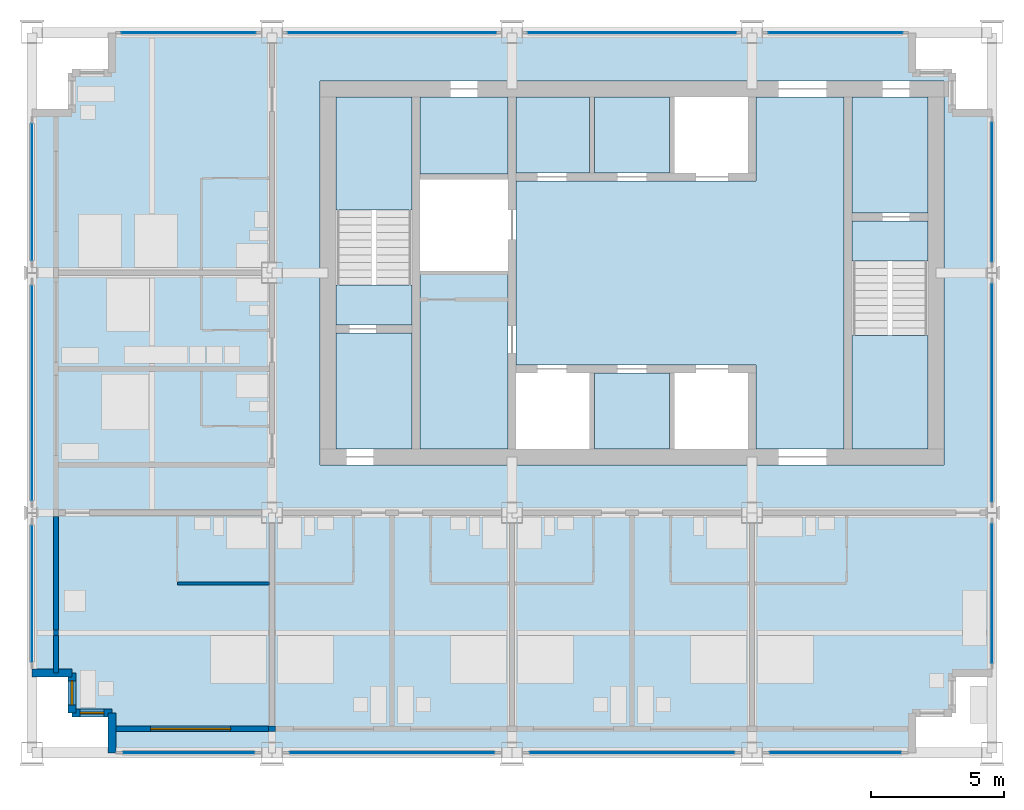
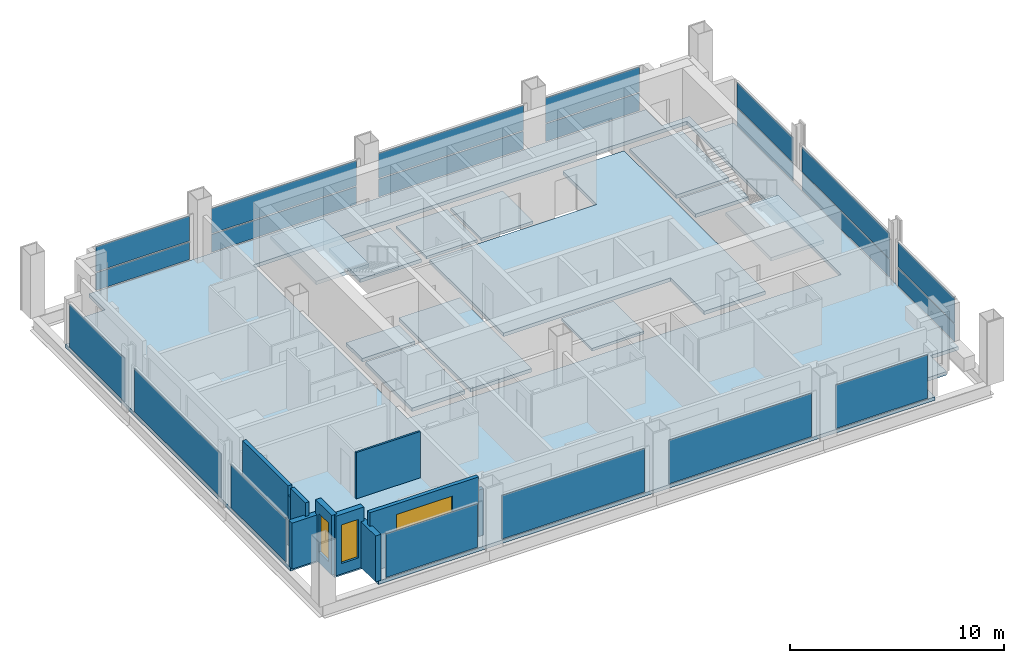
# One storey, part 5 of 12: 21 plates, 13 slabs, 10 walls, 3 windows, 3 openings, 16 elements without a shape of their own.
"""IFC4 building model written with IfcOpenShell, lengths in metres."""

import ifcopenshell
import ifcopenshell.guid

model = None  # the IFC model being written
_history = None  # IfcOwnerHistory: only IFC2X3 demands one
_inside = {}  # id of a spatial element -> (the spatial element, [elements in it])
_under = {}  # id of a project, library or spatial element -> (it, [spatial elements below it])
_declared = {}  # id of a project -> (the project, [libraries it declares])
_typed = {}  # id of a type object -> (the type object, [elements of that type])
_made_of = {}  # id of a material, layer set ... -> (it, [elements and type objects made of it])


def new_model(schema):
    """Start an empty IFC model of exactly this schema.

    Asked for "IFC4X3", IfcOpenShell would pick the latest addendum, in which some entities
    have other attributes; the version numbers below select the first issue.
    IFC2X3 requires an IfcOwnerHistory on every rooted entity: one is made here for all.
    """
    global model, _history
    if schema == "IFC4X3":
        model = ifcopenshell.file(schema_version=(4, 3, 0, 0))
    else:
        model = ifcopenshell.file(schema=schema)
    _inside.clear()
    _under.clear()
    _declared.clear()
    _typed.clear()
    _made_of.clear()
    _history = None
    if model.schema == "IFC2X3":
        org = make("IfcOrganization", Name="unknown")
        user = make(
            "IfcPersonAndOrganization",
            ThePerson=make("IfcPerson", FamilyName="unknown"),
            TheOrganization=org,
        )
        app = make(
            "IfcApplication",
            ApplicationDeveloper=org,
            Version="unknown",
            ApplicationFullName="unknown",
            ApplicationIdentifier="unknown",
        )
        _history = make(
            "IfcOwnerHistory",
            OwningUser=user,
            OwningApplication=app,
            ChangeAction="ADDED",
            CreationDate=0,
        )
    return model


def make(cls, **values):
    """One entity of the class cls with the attributes given. An attribute that is None is left unset."""
    return model.create_entity(
        cls, **{name: value for name, value in values.items() if value is not None}
    )


def rooted(cls, **values):
    """An entity with a GlobalId (a new one), such as an element, a storey or a relation."""
    return make(cls, GlobalId=ifcopenshell.guid.new(), OwnerHistory=_history, **values)


def si_unit(unit_type, name, prefix=None):
    """IfcSIUnit, for example si_unit("LENGTHUNIT", "METRE", prefix="MILLI")."""
    return make("IfcSIUnit", UnitType=unit_type, Prefix=prefix, Name=name)


def assignment(units):
    """IfcUnitAssignment: the units of a project."""
    return None if units is None else make("IfcUnitAssignment", Units=units)


def point(xyz):
    """IfcCartesianPoint."""
    return None if xyz is None else make("IfcCartesianPoint", Coordinates=xyz)


def direction(xyz):
    """IfcDirection."""
    return None if xyz is None else make("IfcDirection", DirectionRatios=xyz)


def frame(location, z_axis=None, x_axis=None):
    """IfcAxis2Placement3D, a coordinate frame: its origin and axes. An axis left out is left unset."""
    return make(
        "IfcAxis2Placement3D",
        Location=point(location),
        Axis=direction(z_axis),
        RefDirection=direction(x_axis),
    )


def frame_2d(location, x_axis=None):
    """IfcAxis2Placement2D, a coordinate frame in the plane: its origin and x axis."""
    return make(
        "IfcAxis2Placement2D", Location=point(location), RefDirection=direction(x_axis)
    )


def origin():
    """The frame at (0, 0, 0) with its axes left unset."""
    return frame((0.0, 0.0, 0.0))


def origin_2d():
    """The frame at (0, 0) in the plane with its x axis left unset."""
    return frame_2d((0.0, 0.0))


def place(relative_to, where):
    """IfcLocalPlacement: puts the frame where relative to a parent placement (None: the world)."""
    return make(
        "IfcLocalPlacement", PlacementRelTo=relative_to, RelativePlacement=where
    )


def context(
    kind, dimensions, precision=None, world=None, true_north=None, identifier=None
):
    """IfcGeometricRepresentationContext, for example the 3D "Model" context."""
    return make(
        "IfcGeometricRepresentationContext",
        ContextIdentifier=identifier,
        ContextType=kind,
        CoordinateSpaceDimension=dimensions,
        Precision=precision,
        WorldCoordinateSystem=world,
        TrueNorth=true_north,
    )


def subcontext(parent, identifier, kind, view, scale=None):
    """IfcGeometricRepresentationSubContext, for example "Body" below "Model"."""
    return make(
        "IfcGeometricRepresentationSubContext",
        ContextIdentifier=identifier,
        ContextType=kind,
        ParentContext=parent,
        TargetScale=scale,
        TargetView=view,
    )


def project(units=None, contexts=None):
    """IfcProject with its units and contexts."""
    return rooted(
        "IfcProject",
        Name="project",
        RepresentationContexts=contexts,
        UnitsInContext=assignment(units),
    )


def spatial(cls, under=None, at=None, **own):
    """A site, building, storey or space (cls), placed at a placement, below another one or the project."""
    s = rooted(cls, ObjectPlacement=at, **own)
    if under is not None:
        _under.setdefault(under.id(), (under, []))[1].append(s)
    return s


def polyline(points):
    """IfcPolyline through the points."""
    return make("IfcPolyline", Points=[point(p) for p in points])


def profile(cls, at=None, kind="AREA", **sizes):
    """A parametric profile (cls). Its sizes go by their IFC names, for example OverallWidth=200.0."""
    return make(cls, ProfileType=kind, Position=at, **sizes)


def rectangle(**sizes):
    """IfcRectangleProfileDef."""
    return profile("IfcRectangleProfileDef", **sizes)


def outline(outer, holes=None, kind="AREA"):
    """IfcArbitraryClosedProfileDef: a profile drawn as a closed curve; with holes, ...WithVoids."""
    if holes is None:
        return make("IfcArbitraryClosedProfileDef", ProfileType=kind, OuterCurve=outer)
    return make(
        "IfcArbitraryProfileDefWithVoids",
        ProfileType=kind,
        OuterCurve=outer,
        InnerCurves=holes,
    )


def extrude(swept, where, along, depth):
    """IfcExtrudedAreaSolid: the profile swept, set in the frame where, extruded along a direction by depth."""
    return make(
        "IfcExtrudedAreaSolid",
        SweptArea=swept,
        Position=where,
        ExtrudedDirection=direction(along),
        Depth=depth,
    )


def shape(context_of_items, identifier, shape_type, items):
    """IfcShapeRepresentation: the items that make up one representation, for example the "Body"."""
    return make(
        "IfcShapeRepresentation",
        ContextOfItems=context_of_items,
        RepresentationIdentifier=identifier,
        RepresentationType=shape_type,
        Items=items,
    )


def material(Name=None, Category=None):
    """IfcMaterial."""
    return make("IfcMaterial", Name=Name, Category=Category)


def layer(
    of_material, thickness, ventilated=None, Name=None, Category=None, Priority=None
):
    """IfcMaterialLayer: one layer of a wall or slab, of a material (None: an air gap)."""
    return make(
        "IfcMaterialLayer",
        Material=of_material,
        LayerThickness=thickness,
        IsVentilated=ventilated,
        Name=Name,
        Category=Category,
        Priority=Priority,
    )


def layer_set(layers, Name=None):
    """IfcMaterialLayerSet."""
    return make("IfcMaterialLayerSet", MaterialLayers=layers, LayerSetName=Name)


def made_of(thing, what):
    """Note that an element or type object is made of a material, layer set ...; save() writes the relation."""
    if what is not None:
        _made_of.setdefault(what.id(), (what, []))[1].append(thing)
    return thing


def type_object(cls, material=None, **own):
    """A type object (cls), such as IfcWallType, which elements share."""
    return made_of(rooted(cls, **own), material)


def element(
    cls,
    number,
    at=None,
    inside=None,
    cuts=None,
    type_object=None,
    material=None,
    context=None,
    identifier="Body",
    shape_type=None,
    held_by="IfcProductDefinitionShape",
    body=None,
    shapes=None,
    **own,
):
    """One element of the class cls, such as IfcWall. Its Tag is "e" and its number.

    at: its placement. inside: the storey or other place that contains it. cuts: it is an
    opening in that element (IfcRelVoidsElement). A single representation is given by context,
    identifier, shape_type and body (its items); several are given by shapes. held_by: the class
    of the entity that holds the representations. save() writes the other relations.
    """
    e = rooted(cls, Tag="e%d" % number, ObjectPlacement=at, **own)
    if body is not None:
        shapes = [shape(context, identifier, shape_type, body)]
    if shapes is not None:
        e.Representation = make(held_by, Representations=shapes)
    if inside is not None:
        _inside.setdefault(inside.id(), (inside, []))[1].append(e)
    if cuts is not None:
        rooted(
            "IfcRelVoidsElement", RelatingBuildingElement=cuts, RelatedOpeningElement=e
        )
    if type_object is not None:
        _typed.setdefault(type_object.id(), (type_object, []))[1].append(e)
    return made_of(e, material)


def fill(opening, filler):
    """IfcRelFillsElement: the door or window that sits in an opening."""
    return rooted(
        "IfcRelFillsElement",
        RelatingOpeningElement=opening,
        RelatedBuildingElement=filler,
    )


def aggregate(whole, parts):
    """IfcRelAggregates: a whole, such as a stair, and the parts it consists of."""
    return rooted("IfcRelAggregates", RelatingObject=whole, RelatedObjects=parts)


def save(model, path):
    """Write the relations noted so far, then the file.

    IfcRelAggregates (storeys below a building ...), IfcRelContainedInSpatialStructure (elements
    in a storey), IfcRelDefinesByType, IfcRelAssociatesMaterial and IfcRelDeclares: one each for
    every whole, place, type object, material and project.
    """
    for whole, parts in _under.values():
        aggregate(whole, parts)
    for where, things in _inside.values():
        rooted(
            "IfcRelContainedInSpatialStructure",
            RelatedElements=things,
            RelatingStructure=where,
        )
    for kind, things in _typed.values():
        rooted("IfcRelDefinesByType", RelatedObjects=things, RelatingType=kind)
    for what, things in _made_of.values():
        rooted("IfcRelAssociatesMaterial", RelatedObjects=things, RelatingMaterial=what)
    for by, libraries in _declared.values():
        rooted("IfcRelDeclares", RelatingContext=by, RelatedDefinitions=libraries)
    model.write(path)


model = new_model("IFC4")

# Units and contexts
model_context = context("Model", 3, precision=1e-05, world=origin(), true_north=direction((0.0, 1.0)))
body_context = subcontext(model_context, "Body", "Model", "MODEL_VIEW")
ifc_project = project(units=[si_unit("LENGTHUNIT", "METRE"), si_unit("AREAUNIT", "SQUARE_METRE"), si_unit("VOLUMEUNIT", "CUBIC_METRE"), si_unit("PLANEANGLEUNIT", "RADIAN"), si_unit("MASSUNIT", "GRAM", prefix="KILO")], contexts=[model_context])

# Site, building, storey
site_placement = place(None, origin())
site = spatial("IfcSite", under=ifc_project, at=site_placement, CompositionType="ELEMENT")
building_placement = place(site_placement, origin())
building = spatial("IfcBuilding", under=site, at=building_placement, Name="Loomwork Tower", CompositionType="ELEMENT")
storey_placement = place(building_placement, frame((0.0, 0.0, 259.0)))
storey = spatial("IfcBuildingStorey", under=building, at=storey_placement, Name="L71", CompositionType="ELEMENT", Elevation=259.0)

# Slabs
ifc_material_1 = material(Name="Concrete 5000 psi (34 MPa) on composite metal deck", Category="concrete")
ifc_layer_1 = layer(ifc_material_1, 0.199951171875)
ifc_layer_set_1 = layer_set([ifc_layer_1], Name="Floor slab 200")
slab_type_1 = type_object("IfcSlabType", Name="Floor slab 200", PredefinedType="FLOOR", material=ifc_layer_set_1)
slab_1_placement = place(storey_placement, frame((0.0, 0.0, -0.199951171875)))
element("IfcSlab", 1, at=slab_1_placement, inside=storey, type_object=slab_type_1, Name="Floor slab L71", PredefinedType="FLOOR", context=body_context, shape_type="SweptSolid", body=[
    extrude(outline(polyline([(3.0, 1.5), (1.5, 1.5), (1.5, 3.0), (0.0, 3.0), (0.0, 24.0), (1.5, 24.0), (1.5, 25.5), (3.0, 25.5), (3.0, 27.0), (33.0, 27.0), (33.0, 25.5), (34.5, 25.5), (34.5, 24.0), (36.0, 24.0), (36.0, 3.0), (34.5, 3.0), (34.5, 1.5), (33.0, 1.5), (33.0, 0.0), (3.0, 0.0), (3.0, 1.5)]), holes=[polyline([(10.800048828125, 11.39990234375), (10.800048828125, 11.39990234375), (10.800048828125, 10.800048828125), (34.199951171875, 10.800048828125), (34.199951171875, 11.39990234375), (34.199951171875, 11.39990234375), (34.199951171875, 24.60009765625), (34.199951171875, 25.199951171875), (10.800048828125, 25.199951171875), (10.800048828125, 24.60009765625), (10.800048828125, 11.39990234375)])]), origin(), (0.0, 0.0, 1.0), 0.199951171875),
])
slab_2_placement = place(storey_placement, frame((0.0, 0.0, -0.199951171875)))
element("IfcSlab", 2, at=slab_2_placement, inside=storey, type_object=slab_type_1, Name="Floor slab L71", PredefinedType="FLOOR", context=body_context, shape_type="SweptSolid", body=[
    extrude(outline(polyline([(30.449951171875, 24.60009765625), (30.449951171875, 11.39990234375), (27.14990234375, 11.39990234375), (27.14990234375, 14.25), (27.14990234375, 14.550048828125), (18.14990234375, 14.550048828125), (18.14990234375, 21.449951171875), (27.14990234375, 21.449951171875), (27.14990234375, 21.75), (27.14990234375, 24.60009765625), (30.449951171875, 24.60009765625)])), origin(), (0.0, 0.0, 1.0), 0.199951171875),
])
slab_3_placement = place(storey_placement, frame((0.0, 0.0, -0.199951171875)))
element("IfcSlab", 3, at=slab_3_placement, inside=storey, type_object=slab_type_1, Name="Floor slab L71", PredefinedType="FLOOR", context=body_context, shape_type="SweptSolid", body=[
    extrude(outline(polyline([(14.550048828125, 11.39990234375), (14.550048828125, 18.074951171875), (17.85009765625, 18.074951171875), (17.85009765625, 11.39990234375), (14.550048828125, 11.39990234375)])), origin(), (0.0, 0.0, 1.0), 0.199951171875),
])
slab_4_placement = place(storey_placement, frame((0.0, 0.0, -0.199951171875)))
element("IfcSlab", 4, at=slab_4_placement, inside=storey, type_object=slab_type_1, Name="Floor slab L71", PredefinedType="FLOOR", context=body_context, shape_type="SweptSolid", body=[
    extrude(outline(polyline([(33.60009765625, 20.25), (30.75, 20.25), (30.75, 24.60009765625), (33.60009765625, 24.60009765625), (33.60009765625, 20.25)])), origin(), (0.0, 0.0, 1.0), 0.199951171875),
])
slab_5_placement = place(storey_placement, frame((0.0, 0.0, -0.199951171875)))
element("IfcSlab", 5, at=slab_5_placement, inside=storey, type_object=slab_type_1, Name="Floor slab L71", PredefinedType="FLOOR", context=body_context, shape_type="SweptSolid", body=[
    extrude(outline(polyline([(14.25, 15.75), (14.25, 11.39990234375), (11.39990234375, 11.39990234375), (11.39990234375, 15.75), (14.25, 15.75)])), origin(), (0.0, 0.0, 1.0), 0.199951171875),
])
slab_6_placement = place(storey_placement, frame((0.0, 0.0, -0.199951171875)))
element("IfcSlab", 6, at=slab_6_placement, inside=storey, type_object=slab_type_1, Name="Floor slab L71", PredefinedType="FLOOR", context=body_context, shape_type="SweptSolid", body=[
    extrude(outline(polyline([(14.550048828125, 21.699951171875), (14.550048828125, 24.60009765625), (17.85009765625, 24.60009765625), (17.85009765625, 21.699951171875), (14.550048828125, 21.699951171875)])), origin(), (0.0, 0.0, 1.0), 0.199951171875),
])

# Curtain wall, plate
ifc_material_2 = material(Name="Aluminium curtain wall frame", Category="aluminium")
curtain_wall_type_1 = type_object("IfcCurtainWallType", Name="Outer skin glazing suites", PredefinedType="NOTDEFINED", material=ifc_material_2)
curtain_wall_1_placement = place(storey_placement, origin())
curtain_wall_1 = element("IfcCurtainWall", 7, at=curtain_wall_1_placement, inside=storey, type_object=curtain_wall_type_1, Name="Outer skin glazing suites cw/S-0", PredefinedType="NOTDEFINED")
ifc_material_3 = material(Name="Clear laminated glass", Category="glass")
ifc_layer_2 = layer(ifc_material_3, 0.02392578125)
ifc_layer_set_2 = layer_set([ifc_layer_2], Name="Outer skin glazing suites panel")
plate_type_1 = type_object("IfcPlateType", Name="Outer skin glazing suites panel", PredefinedType="CURTAIN_PANEL", material=ifc_layer_set_2)
plate_1_placement = place(storey_placement, frame((5.875, 0.0, 0.06494140625), z_axis=(0.0, 0.0, 1.0), x_axis=(1.0, 0.0, 0.0)))
plate_1 = element("IfcPlate", 8, at=plate_1_placement, type_object=plate_type_1, Name="CW2 panel 1.1", PredefinedType="CURTAIN_PANEL", context=body_context, shape_type="SweptSolid", body=[
    extrude(rectangle(XDim=4.949951171875, YDim=0.02392578125, at=origin_2d()), origin(), (0.0, 0.0, 1.0), 2.490234375),
])
aggregate(curtain_wall_1, [plate_1])

curtain_wall_2_placement = place(storey_placement, origin())
curtain_wall_2 = element("IfcCurtainWall", 9, at=curtain_wall_2_placement, inside=storey, type_object=curtain_wall_type_1, Name="Outer skin glazing suites cw/S-9", PredefinedType="NOTDEFINED")
plate_2_placement = place(storey_placement, frame((13.5, 0.0, 0.06494140625), z_axis=(0.0, 0.0, 1.0), x_axis=(1.0, 0.0, 0.0)))
plate_2 = element("IfcPlate", 10, at=plate_2_placement, type_object=plate_type_1, Name="CW2 panel 1.1", PredefinedType="CURTAIN_PANEL", context=body_context, shape_type="SweptSolid", body=[
    extrude(rectangle(XDim=7.699951171875, YDim=0.02392578125, at=origin_2d()), origin(), (0.0, 0.0, 1.0), 2.490234375),
])
aggregate(curtain_wall_2, [plate_2])

curtain_wall_3_placement = place(storey_placement, origin())
curtain_wall_3 = element("IfcCurtainWall", 11, at=curtain_wall_3_placement, inside=storey, type_object=curtain_wall_type_1, Name="Outer skin glazing suites cw/S-18", PredefinedType="NOTDEFINED")
plate_3_placement = place(storey_placement, frame((22.5, 0.0, 0.06494140625), z_axis=(0.0, 0.0, 1.0), x_axis=(1.0, 0.0, 0.0)))
plate_3 = element("IfcPlate", 12, at=plate_3_placement, type_object=plate_type_1, Name="CW2 panel 1.1", PredefinedType="CURTAIN_PANEL", context=body_context, shape_type="SweptSolid", body=[
    extrude(rectangle(XDim=7.699951171875, YDim=0.02392578125, at=origin_2d()), origin(), (0.0, 0.0, 1.0), 2.490234375),
])
aggregate(curtain_wall_3, [plate_3])

curtain_wall_4_placement = place(storey_placement, origin())
curtain_wall_4 = element("IfcCurtainWall", 13, at=curtain_wall_4_placement, inside=storey, type_object=curtain_wall_type_1, Name="Outer skin glazing suites cw/S-27", PredefinedType="NOTDEFINED")
plate_4_placement = place(storey_placement, frame((30.125, 0.0, 0.06494140625), z_axis=(0.0, 0.0, 1.0), x_axis=(1.0, 0.0, 0.0)))
plate_4 = element("IfcPlate", 14, at=plate_4_placement, type_object=plate_type_1, Name="CW2 panel 1.1", PredefinedType="CURTAIN_PANEL", context=body_context, shape_type="SweptSolid", body=[
    extrude(rectangle(XDim=4.949951171875, YDim=0.02392578125, at=origin_2d()), origin(), (0.0, 0.0, 1.0), 2.490234375),
])
aggregate(curtain_wall_4, [plate_4])

curtain_wall_5_placement = place(storey_placement, origin())
curtain_wall_5 = element("IfcCurtainWall", 15, at=curtain_wall_5_placement, inside=storey, type_object=curtain_wall_type_1, Name="Outer skin glazing suites cw/W-0", PredefinedType="NOTDEFINED")
plate_5_placement = place(storey_placement, frame((0.0, 5.970947265625, 0.06494140625), z_axis=(0.0, 0.0, 1.0), x_axis=(0.0, -1.0, 0.0)))
plate_5 = element("IfcPlate", 16, at=plate_5_placement, type_object=plate_type_1, Name="CW2 panel 1.1", PredefinedType="CURTAIN_PANEL", context=body_context, shape_type="SweptSolid", body=[
    extrude(rectangle(XDim=5.1416015625, YDim=0.02392578125, at=origin_2d()), origin(), (0.0, 0.0, 1.0), 2.490234375),
])
aggregate(curtain_wall_5, [plate_5])

curtain_wall_6_placement = place(storey_placement, origin())
curtain_wall_6 = element("IfcCurtainWall", 17, at=curtain_wall_6_placement, inside=storey, type_object=curtain_wall_type_1, Name="Outer skin glazing suites cw/W-9", PredefinedType="NOTDEFINED")
plate_6_placement = place(storey_placement, frame((0.0, 13.5, 0.06494140625), z_axis=(0.0, 0.0, 1.0), x_axis=(0.0, -1.0, 0.0)))
plate_6 = element("IfcPlate", 18, at=plate_6_placement, type_object=plate_type_1, Name="CW2 panel 1.1", PredefinedType="CURTAIN_PANEL", context=body_context, shape_type="SweptSolid", body=[
    extrude(rectangle(XDim=8.08349609375, YDim=0.02392578125, at=origin_2d()), origin(), (0.0, 0.0, 1.0), 2.490234375),
])
aggregate(curtain_wall_6, [plate_6])

curtain_wall_7_placement = place(storey_placement, origin())
curtain_wall_7 = element("IfcCurtainWall", 19, at=curtain_wall_7_placement, inside=storey, type_object=curtain_wall_type_1, Name="Outer skin glazing suites cw/W-18", PredefinedType="NOTDEFINED")
plate_7_placement = place(storey_placement, frame((0.0, 21.029052734375, 0.06494140625), z_axis=(0.0, 0.0, 1.0), x_axis=(0.0, -1.0, 0.0)))
plate_7 = element("IfcPlate", 20, at=plate_7_placement, type_object=plate_type_1, Name="CW2 panel 1.1", PredefinedType="CURTAIN_PANEL", context=body_context, shape_type="SweptSolid", body=[
    extrude(rectangle(XDim=5.1416015625, YDim=0.02392578125, at=origin_2d()), origin(), (0.0, 0.0, 1.0), 2.490234375),
])
aggregate(curtain_wall_7, [plate_7])

# Slabs
ifc_material_4 = material(Name="Concrete 5000 psi (34 MPa) on composite metal deck", Category="concrete")
ifc_layer_3 = layer(ifc_material_4, 0.14990234375)
ifc_layer_set_3 = layer_set([ifc_layer_3], Name="Shaft infill floor 150")
slab_type_2 = type_object("IfcSlabType", Name="Shaft infill floor 150", PredefinedType="FLOOR", material=ifc_layer_set_3)
slab_7_placement = place(storey_placement, frame((0.0, 0.0, -0.14990234375)))
element("IfcSlab", 21, at=slab_7_placement, inside=storey, type_object=slab_type_2, Name="Shaft infill floor LS1 L71", PredefinedType="FLOOR", context=body_context, shape_type="SweptSolid", body=[
    extrude(outline(polyline([(18.14990234375, 21.75), (20.89990234375, 21.75), (20.89990234375, 24.60009765625), (18.14990234375, 24.60009765625), (18.14990234375, 21.75)])), origin(), (0.0, 0.0, 1.0), 0.14990234375),
])
slab_8_placement = place(storey_placement, frame((0.0, 0.0, -0.14990234375)))
element("IfcSlab", 22, at=slab_8_placement, inside=storey, type_object=slab_type_2, Name="Shaft infill floor LS2 L71", PredefinedType="FLOOR", context=body_context, shape_type="SweptSolid", body=[
    extrude(outline(polyline([(21.10009765625, 21.75), (23.89990234375, 21.75), (23.89990234375, 24.60009765625), (21.10009765625, 24.60009765625), (21.10009765625, 21.75)])), origin(), (0.0, 0.0, 1.0), 0.14990234375),
])
slab_9_placement = place(storey_placement, frame((0.0, 0.0, -0.14990234375)))
element("IfcSlab", 23, at=slab_9_placement, inside=storey, type_object=slab_type_2, Name="Shaft infill floor S2 L71", PredefinedType="FLOOR", context=body_context, shape_type="SweptSolid", body=[
    extrude(outline(polyline([(21.10009765625, 11.39990234375), (23.89990234375, 11.39990234375), (23.89990234375, 14.25), (21.10009765625, 14.25), (21.10009765625, 11.39990234375)])), origin(), (0.0, 0.0, 1.0), 0.14990234375),
])

# Curtain wall, plates
ifc_material_5 = material(Name="Aluminium curtain wall frame", Category="aluminium")
curtain_wall_type_2 = type_object("IfcCurtainWallType", Name="Single skin glazing corridor", PredefinedType="NOTDEFINED", material=ifc_material_5)
curtain_wall_8_placement = place(storey_placement, origin())
curtain_wall_8 = element("IfcCurtainWall", 24, at=curtain_wall_8_placement, inside=storey, type_object=curtain_wall_type_2, Name="Single skin glazing corridor cw/N-0", PredefinedType="NOTDEFINED")
ifc_material_6 = material(Name="Clear insulated glass", Category="glass")
ifc_layer_4 = layer(ifc_material_6, 0.031982421875)
ifc_layer_set_4 = layer_set([ifc_layer_4], Name="Single skin glazing corridor panel")
plate_type_2 = type_object("IfcPlateType", Name="Single skin glazing corridor panel", PredefinedType="CURTAIN_PANEL", material=ifc_layer_set_4)
plate_8_placement = place(storey_placement, frame((5.875, 27.0, 0.06494140625), z_axis=(0.0, 0.0, 1.0), x_axis=(-1.0, 0.0, 0.0)))
plate_8 = element("IfcPlate", 25, at=plate_8_placement, type_object=plate_type_2, Name="CW3 panel 1.1", PredefinedType="CURTAIN_PANEL", context=body_context, shape_type="SweptSolid", body=[
    extrude(rectangle(XDim=5.050048828125, YDim=0.031982421875, at=origin_2d()), origin(), (0.0, 0.0, 1.0), 1.00244140625),
])
plate_9_placement = place(storey_placement, frame((5.875, 27.0, 1.13232421875), z_axis=(0.0, 0.0, 1.0), x_axis=(-1.0, 0.0, 0.0)))
plate_9 = element("IfcPlate", 26, at=plate_9_placement, type_object=plate_type_2, Name="CW3 panel 1.2", PredefinedType="CURTAIN_PANEL", context=body_context, shape_type="SweptSolid", body=[
    extrude(rectangle(XDim=5.050048828125, YDim=0.031982421875, at=origin_2d()), origin(), (0.0, 0.0, 1.0), 1.422607421875),
])
aggregate(curtain_wall_8, [plate_8, plate_9])

curtain_wall_9_placement = place(storey_placement, origin())
curtain_wall_9 = element("IfcCurtainWall", 27, at=curtain_wall_9_placement, inside=storey, type_object=curtain_wall_type_2, Name="Single skin glazing corridor cw/N-9", PredefinedType="NOTDEFINED")
plate_10_placement = place(storey_placement, frame((13.5, 27.0, 0.06494140625), z_axis=(0.0, 0.0, 1.0), x_axis=(-1.0, 0.0, 0.0)))
plate_10 = element("IfcPlate", 28, at=plate_10_placement, type_object=plate_type_2, Name="CW3 panel 1.1", PredefinedType="CURTAIN_PANEL", context=body_context, shape_type="SweptSolid", body=[
    extrude(rectangle(XDim=7.800048828125, YDim=0.031982421875, at=origin_2d()), origin(), (0.0, 0.0, 1.0), 1.00244140625),
])
plate_11_placement = place(storey_placement, frame((13.5, 27.0, 1.13232421875), z_axis=(0.0, 0.0, 1.0), x_axis=(-1.0, 0.0, 0.0)))
plate_11 = element("IfcPlate", 29, at=plate_11_placement, type_object=plate_type_2, Name="CW3 panel 1.2", PredefinedType="CURTAIN_PANEL", context=body_context, shape_type="SweptSolid", body=[
    extrude(rectangle(XDim=7.800048828125, YDim=0.031982421875, at=origin_2d()), origin(), (0.0, 0.0, 1.0), 1.422607421875),
])
aggregate(curtain_wall_9, [plate_10, plate_11])

curtain_wall_10_placement = place(storey_placement, origin())
curtain_wall_10 = element("IfcCurtainWall", 30, at=curtain_wall_10_placement, inside=storey, type_object=curtain_wall_type_2, Name="Single skin glazing corridor cw/N-18", PredefinedType="NOTDEFINED")
plate_12_placement = place(storey_placement, frame((22.5, 27.0, 0.06494140625), z_axis=(0.0, 0.0, 1.0), x_axis=(-1.0, 0.0, 0.0)))
plate_12 = element("IfcPlate", 31, at=plate_12_placement, type_object=plate_type_2, Name="CW3 panel 1.1", PredefinedType="CURTAIN_PANEL", context=body_context, shape_type="SweptSolid", body=[
    extrude(rectangle(XDim=7.800048828125, YDim=0.031982421875, at=origin_2d()), origin(), (0.0, 0.0, 1.0), 1.00244140625),
])
plate_13_placement = place(storey_placement, frame((22.5, 27.0, 1.13232421875), z_axis=(0.0, 0.0, 1.0), x_axis=(-1.0, 0.0, 0.0)))
plate_13 = element("IfcPlate", 32, at=plate_13_placement, type_object=plate_type_2, Name="CW3 panel 1.2", PredefinedType="CURTAIN_PANEL", context=body_context, shape_type="SweptSolid", body=[
    extrude(rectangle(XDim=7.800048828125, YDim=0.031982421875, at=origin_2d()), origin(), (0.0, 0.0, 1.0), 1.422607421875),
])
aggregate(curtain_wall_10, [plate_12, plate_13])

curtain_wall_11_placement = place(storey_placement, origin())
curtain_wall_11 = element("IfcCurtainWall", 33, at=curtain_wall_11_placement, inside=storey, type_object=curtain_wall_type_2, Name="Single skin glazing corridor cw/N-27", PredefinedType="NOTDEFINED")
plate_14_placement = place(storey_placement, frame((30.125, 27.0, 0.06494140625), z_axis=(0.0, 0.0, 1.0), x_axis=(-1.0, 0.0, 0.0)))
plate_14 = element("IfcPlate", 34, at=plate_14_placement, type_object=plate_type_2, Name="CW3 panel 1.1", PredefinedType="CURTAIN_PANEL", context=body_context, shape_type="SweptSolid", body=[
    extrude(rectangle(XDim=5.050048828125, YDim=0.031982421875, at=origin_2d()), origin(), (0.0, 0.0, 1.0), 1.00244140625),
])
plate_15_placement = place(storey_placement, frame((30.125, 27.0, 1.13232421875), z_axis=(0.0, 0.0, 1.0), x_axis=(-1.0, 0.0, 0.0)))
plate_15 = element("IfcPlate", 35, at=plate_15_placement, type_object=plate_type_2, Name="CW3 panel 1.2", PredefinedType="CURTAIN_PANEL", context=body_context, shape_type="SweptSolid", body=[
    extrude(rectangle(XDim=5.050048828125, YDim=0.031982421875, at=origin_2d()), origin(), (0.0, 0.0, 1.0), 1.422607421875),
])
aggregate(curtain_wall_11, [plate_14, plate_15])

curtain_wall_12_placement = place(storey_placement, origin())
curtain_wall_12 = element("IfcCurtainWall", 36, at=curtain_wall_12_placement, inside=storey, type_object=curtain_wall_type_2, Name="Single skin glazing corridor cw/E-0", PredefinedType="NOTDEFINED")
plate_16_placement = place(storey_placement, frame((36.0, 5.970947265625, 0.06494140625), z_axis=(0.0, 0.0, 1.0), x_axis=(0.0, 1.0, 0.0)))
plate_16 = element("IfcPlate", 37, at=plate_16_placement, type_object=plate_type_2, Name="CW3 panel 1.1", PredefinedType="CURTAIN_PANEL", context=body_context, shape_type="SweptSolid", body=[
    extrude(rectangle(XDim=5.24169921875, YDim=0.031982421875, at=origin_2d()), origin(), (0.0, 0.0, 1.0), 1.00244140625),
])
plate_17_placement = place(storey_placement, frame((36.0, 5.970947265625, 1.13232421875), z_axis=(0.0, 0.0, 1.0), x_axis=(0.0, 1.0, 0.0)))
plate_17 = element("IfcPlate", 38, at=plate_17_placement, type_object=plate_type_2, Name="CW3 panel 1.2", PredefinedType="CURTAIN_PANEL", context=body_context, shape_type="SweptSolid", body=[
    extrude(rectangle(XDim=5.24169921875, YDim=0.031982421875, at=origin_2d()), origin(), (0.0, 0.0, 1.0), 1.422607421875),
])
aggregate(curtain_wall_12, [plate_16, plate_17])

curtain_wall_13_placement = place(storey_placement, origin())
curtain_wall_13 = element("IfcCurtainWall", 39, at=curtain_wall_13_placement, inside=storey, type_object=curtain_wall_type_2, Name="Single skin glazing corridor cw/E-9", PredefinedType="NOTDEFINED")
plate_18_placement = place(storey_placement, frame((36.0, 13.5, 0.06494140625), z_axis=(0.0, 0.0, 1.0), x_axis=(0.0, 1.0, 0.0)))
plate_18 = element("IfcPlate", 40, at=plate_18_placement, type_object=plate_type_2, Name="CW3 panel 1.1", PredefinedType="CURTAIN_PANEL", context=body_context, shape_type="SweptSolid", body=[
    extrude(rectangle(XDim=8.183349609375, YDim=0.031982421875, at=origin_2d()), origin(), (0.0, 0.0, 1.0), 1.00244140625),
])
plate_19_placement = place(storey_placement, frame((36.0, 13.5, 1.13232421875), z_axis=(0.0, 0.0, 1.0), x_axis=(0.0, 1.0, 0.0)))
plate_19 = element("IfcPlate", 41, at=plate_19_placement, type_object=plate_type_2, Name="CW3 panel 1.2", PredefinedType="CURTAIN_PANEL", context=body_context, shape_type="SweptSolid", body=[
    extrude(rectangle(XDim=8.183349609375, YDim=0.031982421875, at=origin_2d()), origin(), (0.0, 0.0, 1.0), 1.422607421875),
])
aggregate(curtain_wall_13, [plate_18, plate_19])

curtain_wall_14_placement = place(storey_placement, origin())
curtain_wall_14 = element("IfcCurtainWall", 42, at=curtain_wall_14_placement, inside=storey, type_object=curtain_wall_type_2, Name="Single skin glazing corridor cw/E-18", PredefinedType="NOTDEFINED")
plate_20_placement = place(storey_placement, frame((36.0, 21.029052734375, 0.06494140625), z_axis=(0.0, 0.0, 1.0), x_axis=(0.0, 1.0, 0.0)))
plate_20 = element("IfcPlate", 43, at=plate_20_placement, type_object=plate_type_2, Name="CW3 panel 1.1", PredefinedType="CURTAIN_PANEL", context=body_context, shape_type="SweptSolid", body=[
    extrude(rectangle(XDim=5.24169921875, YDim=0.031982421875, at=origin_2d()), origin(), (0.0, 0.0, 1.0), 1.00244140625),
])
plate_21_placement = place(storey_placement, frame((36.0, 21.029052734375, 1.13232421875), z_axis=(0.0, 0.0, 1.0), x_axis=(0.0, 1.0, 0.0)))
plate_21 = element("IfcPlate", 44, at=plate_21_placement, type_object=plate_type_2, Name="CW3 panel 1.2", PredefinedType="CURTAIN_PANEL", context=body_context, shape_type="SweptSolid", body=[
    extrude(rectangle(XDim=5.24169921875, YDim=0.031982421875, at=origin_2d()), origin(), (0.0, 0.0, 1.0), 1.422607421875),
])
aggregate(curtain_wall_14, [plate_20, plate_21])

# Stair, slabs
ifc_material_7 = material(Name="Concrete 5000 psi (34 MPa) precast stair", Category="concrete")
stair_type_1 = type_object("IfcStairType", Name="Stair ST-A 22 risers 2850 wide", PredefinedType="HALF_TURN_STAIR", material=ifc_material_7)
stair_1_placement = place(storey_placement, origin())
stair_1 = element("IfcStair", 45, at=stair_1_placement, inside=storey, type_object=stair_type_1, Name="Stair A L71", PredefinedType="HALF_TURN_STAIR")
ifc_material_8 = material(Name="Concrete 5000 psi (34 MPa)", Category="concrete")
ifc_layer_5 = layer(ifc_material_8, 0.199951171875)
ifc_layer_set_5 = layer_set([ifc_layer_5], Name="Stair landing 200")
slab_type_3 = type_object("IfcSlabType", Name="Stair landing 200", PredefinedType="LANDING", material=ifc_layer_set_5)
slab_10_placement = place(storey_placement, frame((0.0, 0.0, -0.199951171875)))
slab_10 = element("IfcSlab", 46, at=slab_10_placement, type_object=slab_type_3, Name="ST-A landing 1", PredefinedType="LANDING", context=body_context, shape_type="SweptSolid", body=[
    extrude(outline(polyline([(11.39990234375, 16.050048828125), (14.25, 16.050048828125), (14.25, 17.550048828125), (11.39990234375, 17.550048828125), (11.39990234375, 16.050048828125)])), origin(), (0.0, 0.0, 1.0), 0.199951171875),
])
slab_11_placement = place(storey_placement, frame((0.0, 0.0, 1.60009765625)))
slab_11 = element("IfcSlab", 47, at=slab_11_placement, type_object=slab_type_3, Name="ST-A landing 2", PredefinedType="LANDING", context=body_context, shape_type="SweptSolid", body=[
    extrude(outline(polyline([(11.39990234375, 20.35009765625), (14.25, 20.35009765625), (14.25, 24.60009765625), (11.39990234375, 24.60009765625), (11.39990234375, 20.35009765625)])), origin(), (0.0, 0.0, 1.0), 0.199951171875),
])
aggregate(stair_1, [slab_10, slab_11])

ifc_material_9 = material(Name="Concrete 5000 psi (34 MPa) precast stair", Category="concrete")
stair_type_2 = type_object("IfcStairType", Name="Stair ST-B 22 risers 2850 wide", PredefinedType="HALF_TURN_STAIR", material=ifc_material_9)
stair_2_placement = place(storey_placement, origin())
stair_2 = element("IfcStair", 48, at=stair_2_placement, inside=storey, type_object=stair_type_2, Name="Stair B L71", PredefinedType="HALF_TURN_STAIR")
slab_12_placement = place(storey_placement, frame((0.0, 0.0, -0.199951171875)))
slab_12 = element("IfcSlab", 49, at=slab_12_placement, type_object=slab_type_3, Name="ST-B landing 1", PredefinedType="LANDING", context=body_context, shape_type="SweptSolid", body=[
    extrude(outline(polyline([(30.75, 18.449951171875), (33.60009765625, 18.449951171875), (33.60009765625, 19.949951171875), (30.75, 19.949951171875), (30.75, 18.449951171875)])), origin(), (0.0, 0.0, 1.0), 0.199951171875),
])
slab_13_placement = place(storey_placement, frame((0.0, 0.0, 1.60009765625)))
slab_13 = element("IfcSlab", 50, at=slab_13_placement, type_object=slab_type_3, Name="ST-B landing 2", PredefinedType="LANDING", context=body_context, shape_type="SweptSolid", body=[
    extrude(outline(polyline([(30.75, 11.39990234375), (33.60009765625, 11.39990234375), (33.60009765625, 15.64990234375), (30.75, 15.64990234375), (30.75, 11.39990234375)])), origin(), (0.0, 0.0, 1.0), 0.199951171875),
])
aggregate(stair_2, [slab_12, slab_13])

# Wall
ifc_material_10 = material(Name="Cement board on steel studs", Category="steel")
ifc_layer_6 = layer(ifc_material_10, 0.10009765625)
ifc_layer_set_6 = layer_set([ifc_layer_6], Name="En-suite partition 100")
wall_type_1 = type_object("IfcWallType", Name="En-suite partition 100", PredefinedType="PARTITIONING", material=ifc_layer_set_6)
wall_1_placement = place(storey_placement, frame((5.449951171875, 6.35009765625, 0.0), z_axis=(0.0, 0.0, 1.0), x_axis=(1.0, 0.0, 0.0)))
element("IfcWall", 51, at=wall_1_placement, inside=storey, type_object=wall_type_1, Name="En-suite wall L71 room 1", PredefinedType="PARTITIONING", context=body_context, shape_type="SweptSolid", body=[
    extrude(rectangle(XDim=3.449951171875, YDim=0.10009765625, at=frame_2d((1.72509765625, 0.0))), origin(), (0.0, 0.0, 1.0), 2.637939453125),
])

# Wall, opening, window
ifc_material_11 = material(Name="Insulated steel stud wall with gypsum lining", Category="steel")
ifc_layer_7 = layer(ifc_material_11, 0.199951171875)
ifc_layer_set_7 = layer_set([ifc_layer_7], Name="Inner skin wall 200")
wall_type_2 = type_object("IfcWallType", Name="Inner skin wall 200", PredefinedType="SOLIDWALL", material=ifc_layer_set_7)
wall_2_placement = place(storey_placement, frame((3.0, 0.89990234375, 0.0), z_axis=(0.0, 0.0, 1.0), x_axis=(1.0, 0.0, 0.0)))
wall_2 = element("IfcWall", 52, at=wall_2_placement, inside=storey, type_object=wall_type_2, Name="Inner skin wall S", PredefinedType="SOLIDWALL", context=body_context, shape_type="SweptSolid", body=[
    extrude(rectangle(XDim=5.86474609375, YDim=0.199951171875, at=frame_2d((2.932373046875, 0.0))), origin(), (0.0, 0.0, 1.0), 3.39990234375),
])
opening_1_placement = place(wall_2_placement, frame((1.449951171875, 0.0, 0.60009765625)))
opening_1 = element("IfcOpeningElement", 53, at=opening_1_placement, cuts=wall_2, Name="Opening CH1", PredefinedType="OPENING", context=body_context, shape_type="SweptSolid", body=[
    extrude(rectangle(XDim=3.0, YDim=2.199951171875, at=frame_2d((1.5, 1.10009765625))), frame((0.0, 0.10986328125, 0.0), z_axis=(0.0, -1.0, 0.0), x_axis=(1.0, 0.0, 0.0)), (0.0, 0.0, 1.0), 0.219970703125),
])
ifc_material_12 = material(Name="Aluminium frame with clear insulated glass", Category="aluminium")
window_type_1 = type_object("IfcWindowType", Name="Chicago window 3000", PartitioningType="TRIPLE_PANEL_VERTICAL", PredefinedType="WINDOW", material=ifc_material_12)
window_1_placement = place(opening_1_placement, origin())
window_1 = element("IfcWindow", 54, at=window_1_placement, inside=storey, type_object=window_type_1, Name="Chicago window L71 bay 1", OverallHeight=2.199951171875, OverallWidth=3.0, PartitioningType="TRIPLE_PANEL_VERTICAL", PredefinedType="WINDOW", context=body_context, shape_type="SweptSolid", body=[
    extrude(rectangle(XDim=3.0, YDim=2.199951171875, at=frame_2d((1.5, 1.10009765625))), frame((0.0, 0.030029296875, 0.0), z_axis=(0.0, -1.0, 0.0), x_axis=(1.0, 0.0, 0.0)), (0.0, 0.0, 1.0), 0.06005859375),
])
fill(opening_1, window_1)

# Walls
wall_3_placement = place(storey_placement, frame((0.89990234375, 3.0, 0.0), z_axis=(0.0, 0.0, 1.0), x_axis=(0.0, 1.0, 0.0)))
element("IfcWall", 55, at=wall_3_placement, inside=storey, type_object=wall_type_2, Name="Inner skin wall W", PredefinedType="SOLIDWALL", context=body_context, shape_type="SweptSolid", body=[
    extrude(rectangle(XDim=1.392578125, YDim=0.199951171875, at=frame_2d((0.6962890625, 0.0))), origin(), (0.0, 0.0, 1.0), 3.39990234375),
])
wall_4_placement = place(storey_placement, frame((8.86474609375, 0.89990234375, 0.0), z_axis=(0.0, 0.0, 1.0), x_axis=(1.0, 0.0, 0.0)))
element("IfcWall", 56, at=wall_4_placement, inside=storey, type_object=wall_type_2, Name="Inner skin wall S bay 2", PredefinedType="SOLIDWALL", context=body_context, shape_type="SweptSolid", body=[
    extrude(rectangle(XDim=0.2705078125, YDim=0.199951171875, at=frame_2d((0.13525390625, 0.0))), origin(), (0.0, 0.0, 1.0), 2.637939453125),
])
wall_5_placement = place(storey_placement, frame((0.89990234375, 4.392578125, 0.0), z_axis=(0.0, 0.0, 1.0), x_axis=(0.0, 1.0, 0.0)))
element("IfcWall", 57, at=wall_5_placement, inside=storey, type_object=wall_type_2, Name="Inner skin wall W bay 2", PredefinedType="SOLIDWALL", context=body_context, shape_type="SweptSolid", body=[
    extrude(rectangle(XDim=0.21484375, YDim=0.199951171875, at=frame_2d((0.107421875, 0.0))), origin(), (0.0, 0.0, 1.0), 2.861083984375),
])
wall_6_placement = place(storey_placement, frame((0.89990234375, 4.607421875, 0.0), z_axis=(0.0, 0.0, 1.0), x_axis=(0.0, 1.0, 0.0)))
element("IfcWall", 58, at=wall_6_placement, inside=storey, type_object=wall_type_2, Name="Inner skin wall W bay 3", PredefinedType="SOLIDWALL", context=body_context, shape_type="SweptSolid", body=[
    extrude(rectangle(XDim=4.25732421875, YDim=0.199951171875, at=frame_2d((2.128662109375, 0.0))), origin(), (0.0, 0.0, 1.0), 3.39990234375),
])
ifc_material_13 = material(Name="Limestone on concrete masonry", Category="masonry")
ifc_layer_8 = layer(ifc_material_13, 0.300048828125)
ifc_layer_set_8 = layer_set([ifc_layer_8], Name="Limestone corner wall 300")
wall_type_3 = type_object("IfcWallType", Name="Limestone corner wall 300", PredefinedType="SOLIDWALL", material=ifc_layer_set_8)
wall_7_placement = place(storey_placement, frame((0.0, 3.0, 0.0), z_axis=(0.0, 0.0, 1.0), x_axis=(1.0, 0.0, 0.0)))
element("IfcWall", 59, at=wall_7_placement, inside=storey, type_object=wall_type_3, Name="Stone corner wall SW 1", PredefinedType="SOLIDWALL", context=body_context, shape_type="SweptSolid", body=[
    extrude(rectangle(XDim=1.5, YDim=0.300048828125, at=frame_2d((0.75, 0.0))), origin(), (0.0, 0.0, 1.0), 2.6201171875),
])

# Wall, opening, window
wall_8_placement = place(storey_placement, frame((1.5, 3.0, 0.0), z_axis=(0.0, 0.0, 1.0), x_axis=(0.0, -1.0, 0.0)))
wall_8 = element("IfcWall", 60, at=wall_8_placement, inside=storey, type_object=wall_type_3, Name="Stone corner wall SW 2", PredefinedType="SOLIDWALL", context=body_context, shape_type="SweptSolid", body=[
    extrude(rectangle(XDim=1.5, YDim=0.300048828125, at=frame_2d((0.75, 0.0))), origin(), (0.0, 0.0, 1.0), 3.39990234375),
])
opening_2_placement = place(wall_8_placement, frame((0.300048828125, 0.0, 0.60009765625)))
opening_2 = element("IfcOpeningElement", 61, at=opening_2_placement, cuts=wall_8, Name="Opening CH2", PredefinedType="OPENING", context=body_context, shape_type="SweptSolid", body=[
    extrude(rectangle(XDim=0.89990234375, YDim=2.199951171875, at=frame_2d((0.449951171875, 1.10009765625))), frame((0.0, 0.159912109375, 0.0), z_axis=(0.0, -1.0, 0.0), x_axis=(1.0, 0.0, 0.0)), (0.0, 0.0, 1.0), 0.320068359375),
])
ifc_material_14 = material(Name="Aluminium frame with clear insulated glass", Category="aluminium")
window_type_2 = type_object("IfcWindowType", Name="Corner window 900", PartitioningType="SINGLE_PANEL", PredefinedType="WINDOW", material=ifc_material_14)
window_2_placement = place(opening_2_placement, origin())
window_2 = element("IfcWindow", 62, at=window_2_placement, inside=storey, type_object=window_type_2, Name="Corner window SW", OverallHeight=2.199951171875, OverallWidth=0.89990234375, PartitioningType="SINGLE_PANEL", PredefinedType="WINDOW", context=body_context, shape_type="SweptSolid", body=[
    extrude(rectangle(XDim=0.89990234375, YDim=2.199951171875, at=frame_2d((0.449951171875, 1.10009765625))), frame((0.0, 0.030029296875, 0.0), z_axis=(0.0, -1.0, 0.0), x_axis=(1.0, 0.0, 0.0)), (0.0, 0.0, 1.0), 0.06005859375),
])
fill(opening_2, window_2)

wall_9_placement = place(storey_placement, frame((1.5, 1.5, 0.0), z_axis=(0.0, 0.0, 1.0), x_axis=(1.0, 0.0, 0.0)))
wall_9 = element("IfcWall", 63, at=wall_9_placement, inside=storey, type_object=wall_type_3, Name="Stone corner wall SW 3", PredefinedType="SOLIDWALL", context=body_context, shape_type="SweptSolid", body=[
    extrude(rectangle(XDim=1.5, YDim=0.300048828125, at=frame_2d((0.75, 0.0))), origin(), (0.0, 0.0, 1.0), 3.39990234375),
])
opening_3_placement = place(wall_9_placement, frame((0.300048828125, 0.0, 0.60009765625)))
opening_3 = element("IfcOpeningElement", 64, at=opening_3_placement, cuts=wall_9, Name="Opening CH2", PredefinedType="OPENING", context=body_context, shape_type="SweptSolid", body=[
    extrude(rectangle(XDim=0.89990234375, YDim=2.199951171875, at=frame_2d((0.449951171875, 1.10009765625))), frame((0.0, 0.159912109375, 0.0), z_axis=(0.0, -1.0, 0.0), x_axis=(1.0, 0.0, 0.0)), (0.0, 0.0, 1.0), 0.320068359375),
])
window_3_placement = place(opening_3_placement, origin())
window_3 = element("IfcWindow", 65, at=window_3_placement, inside=storey, type_object=window_type_2, Name="Corner window SW", OverallHeight=2.199951171875, OverallWidth=0.89990234375, PartitioningType="SINGLE_PANEL", PredefinedType="WINDOW", context=body_context, shape_type="SweptSolid", body=[
    extrude(rectangle(XDim=0.89990234375, YDim=2.199951171875, at=frame_2d((0.449951171875, 1.10009765625))), frame((0.0, 0.030029296875, 0.0), z_axis=(0.0, -1.0, 0.0), x_axis=(1.0, 0.0, 0.0)), (0.0, 0.0, 1.0), 0.06005859375),
])
fill(opening_3, window_3)

# Wall
wall_10_placement = place(storey_placement, frame((3.0, 1.5, 0.0), z_axis=(0.0, 0.0, 1.0), x_axis=(0.0, -1.0, 0.0)))
element("IfcWall", 66, at=wall_10_placement, inside=storey, type_object=wall_type_3, Name="Stone corner wall SW 4", PredefinedType="SOLIDWALL", context=body_context, shape_type="SweptSolid", body=[
    extrude(rectangle(XDim=1.5, YDim=0.300048828125, at=frame_2d((0.75, 0.0))), origin(), (0.0, 0.0, 1.0), 2.6201171875),
])

save(model, "model.ifc")
